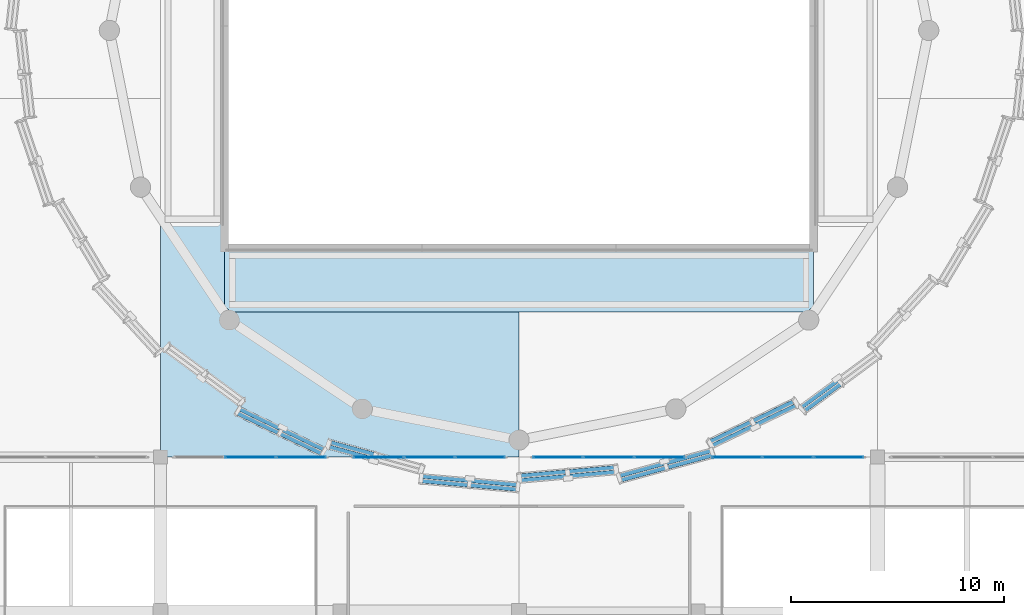
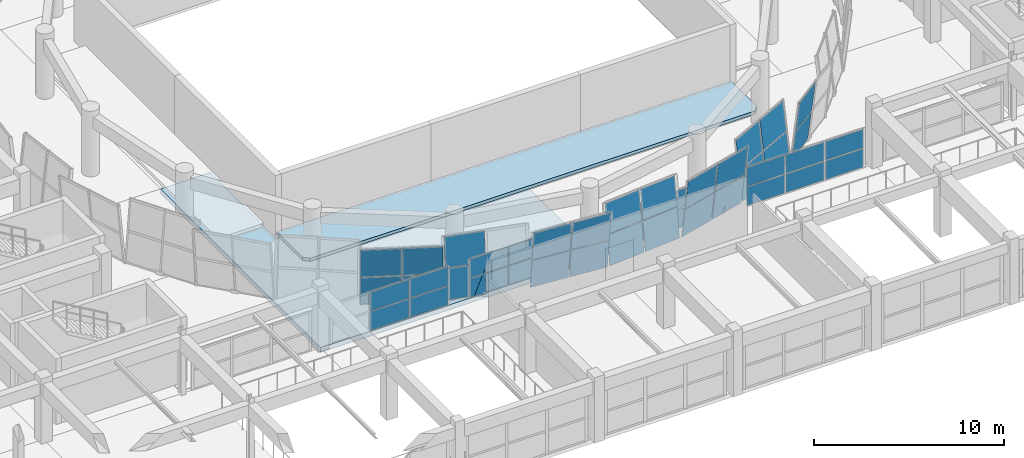
# One storey, part 42 of 71: 46 plates, 2 slabs, 11 elements without a shape of their own.
"""IFC4 building model written with IfcOpenShell, lengths in metres."""

import ifcopenshell
import ifcopenshell.guid

model = None  # the IFC model being written
_history = None  # IfcOwnerHistory: only IFC2X3 demands one
_inside = {}  # id of a spatial element -> (the spatial element, [elements in it])
_under = {}  # id of a project, library or spatial element -> (it, [spatial elements below it])
_declared = {}  # id of a project -> (the project, [libraries it declares])
_typed = {}  # id of a type object -> (the type object, [elements of that type])
_made_of = {}  # id of a material, layer set ... -> (it, [elements and type objects made of it])


def new_model(schema):
    """Start an empty IFC model of exactly this schema.

    Asked for "IFC4X3", IfcOpenShell would pick the latest addendum, in which some entities
    have other attributes; the version numbers below select the first issue.
    IFC2X3 requires an IfcOwnerHistory on every rooted entity: one is made here for all.
    """
    global model, _history
    if schema == "IFC4X3":
        model = ifcopenshell.file(schema_version=(4, 3, 0, 0))
    else:
        model = ifcopenshell.file(schema=schema)
    _inside.clear()
    _under.clear()
    _declared.clear()
    _typed.clear()
    _made_of.clear()
    _history = None
    if model.schema == "IFC2X3":
        org = make("IfcOrganization", Name="unknown")
        user = make(
            "IfcPersonAndOrganization",
            ThePerson=make("IfcPerson", FamilyName="unknown"),
            TheOrganization=org,
        )
        app = make(
            "IfcApplication",
            ApplicationDeveloper=org,
            Version="unknown",
            ApplicationFullName="unknown",
            ApplicationIdentifier="unknown",
        )
        _history = make(
            "IfcOwnerHistory",
            OwningUser=user,
            OwningApplication=app,
            ChangeAction="ADDED",
            CreationDate=0,
        )
    return model


def make(cls, **values):
    """One entity of the class cls with the attributes given. An attribute that is None is left unset."""
    return model.create_entity(
        cls, **{name: value for name, value in values.items() if value is not None}
    )


def rooted(cls, **values):
    """An entity with a GlobalId (a new one), such as an element, a storey or a relation."""
    return make(cls, GlobalId=ifcopenshell.guid.new(), OwnerHistory=_history, **values)


def si_unit(unit_type, name, prefix=None):
    """IfcSIUnit, for example si_unit("LENGTHUNIT", "METRE", prefix="MILLI")."""
    return make("IfcSIUnit", UnitType=unit_type, Prefix=prefix, Name=name)


def assignment(units):
    """IfcUnitAssignment: the units of a project."""
    return None if units is None else make("IfcUnitAssignment", Units=units)


def point(xyz):
    """IfcCartesianPoint."""
    return None if xyz is None else make("IfcCartesianPoint", Coordinates=xyz)


def direction(xyz):
    """IfcDirection."""
    return None if xyz is None else make("IfcDirection", DirectionRatios=xyz)


def frame(location, z_axis=None, x_axis=None):
    """IfcAxis2Placement3D, a coordinate frame: its origin and axes. An axis left out is left unset."""
    return make(
        "IfcAxis2Placement3D",
        Location=point(location),
        Axis=direction(z_axis),
        RefDirection=direction(x_axis),
    )


def frame_2d(location, x_axis=None):
    """IfcAxis2Placement2D, a coordinate frame in the plane: its origin and x axis."""
    return make(
        "IfcAxis2Placement2D", Location=point(location), RefDirection=direction(x_axis)
    )


def origin():
    """The frame at (0, 0, 0) with its axes left unset."""
    return frame((0.0, 0.0, 0.0))


def origin_2d():
    """The frame at (0, 0) in the plane with its x axis left unset."""
    return frame_2d((0.0, 0.0))


def place(relative_to, where):
    """IfcLocalPlacement: puts the frame where relative to a parent placement (None: the world)."""
    return make(
        "IfcLocalPlacement", PlacementRelTo=relative_to, RelativePlacement=where
    )


def context(
    kind, dimensions, precision=None, world=None, true_north=None, identifier=None
):
    """IfcGeometricRepresentationContext, for example the 3D "Model" context."""
    return make(
        "IfcGeometricRepresentationContext",
        ContextIdentifier=identifier,
        ContextType=kind,
        CoordinateSpaceDimension=dimensions,
        Precision=precision,
        WorldCoordinateSystem=world,
        TrueNorth=true_north,
    )


def subcontext(parent, identifier, kind, view, scale=None):
    """IfcGeometricRepresentationSubContext, for example "Body" below "Model"."""
    return make(
        "IfcGeometricRepresentationSubContext",
        ContextIdentifier=identifier,
        ContextType=kind,
        ParentContext=parent,
        TargetScale=scale,
        TargetView=view,
    )


def project(units=None, contexts=None):
    """IfcProject with its units and contexts."""
    return rooted(
        "IfcProject",
        Name="project",
        RepresentationContexts=contexts,
        UnitsInContext=assignment(units),
    )


def spatial(cls, under=None, at=None, **own):
    """A site, building, storey or space (cls), placed at a placement, below another one or the project."""
    s = rooted(cls, ObjectPlacement=at, **own)
    if under is not None:
        _under.setdefault(under.id(), (under, []))[1].append(s)
    return s


def polyline(points):
    """IfcPolyline through the points."""
    return make("IfcPolyline", Points=[point(p) for p in points])


def profile(cls, at=None, kind="AREA", **sizes):
    """A parametric profile (cls). Its sizes go by their IFC names, for example OverallWidth=200.0."""
    return make(cls, ProfileType=kind, Position=at, **sizes)


def rectangle(**sizes):
    """IfcRectangleProfileDef."""
    return profile("IfcRectangleProfileDef", **sizes)


def outline(outer, holes=None, kind="AREA"):
    """IfcArbitraryClosedProfileDef: a profile drawn as a closed curve; with holes, ...WithVoids."""
    if holes is None:
        return make("IfcArbitraryClosedProfileDef", ProfileType=kind, OuterCurve=outer)
    return make(
        "IfcArbitraryProfileDefWithVoids",
        ProfileType=kind,
        OuterCurve=outer,
        InnerCurves=holes,
    )


def extrude(swept, where, along, depth):
    """IfcExtrudedAreaSolid: the profile swept, set in the frame where, extruded along a direction by depth."""
    return make(
        "IfcExtrudedAreaSolid",
        SweptArea=swept,
        Position=where,
        ExtrudedDirection=direction(along),
        Depth=depth,
    )


def shape(context_of_items, identifier, shape_type, items):
    """IfcShapeRepresentation: the items that make up one representation, for example the "Body"."""
    return make(
        "IfcShapeRepresentation",
        ContextOfItems=context_of_items,
        RepresentationIdentifier=identifier,
        RepresentationType=shape_type,
        Items=items,
    )


def material(Name=None, Category=None):
    """IfcMaterial."""
    return make("IfcMaterial", Name=Name, Category=Category)


def layer(
    of_material, thickness, ventilated=None, Name=None, Category=None, Priority=None
):
    """IfcMaterialLayer: one layer of a wall or slab, of a material (None: an air gap)."""
    return make(
        "IfcMaterialLayer",
        Material=of_material,
        LayerThickness=thickness,
        IsVentilated=ventilated,
        Name=Name,
        Category=Category,
        Priority=Priority,
    )


def layer_set(layers, Name=None):
    """IfcMaterialLayerSet."""
    return make("IfcMaterialLayerSet", MaterialLayers=layers, LayerSetName=Name)


def made_of(thing, what):
    """Note that an element or type object is made of a material, layer set ...; save() writes the relation."""
    if what is not None:
        _made_of.setdefault(what.id(), (what, []))[1].append(thing)
    return thing


def type_object(cls, material=None, **own):
    """A type object (cls), such as IfcWallType, which elements share."""
    return made_of(rooted(cls, **own), material)


def element(
    cls,
    number,
    at=None,
    inside=None,
    cuts=None,
    type_object=None,
    material=None,
    context=None,
    identifier="Body",
    shape_type=None,
    held_by="IfcProductDefinitionShape",
    body=None,
    shapes=None,
    **own,
):
    """One element of the class cls, such as IfcWall. Its Tag is "e" and its number.

    at: its placement. inside: the storey or other place that contains it. cuts: it is an
    opening in that element (IfcRelVoidsElement). A single representation is given by context,
    identifier, shape_type and body (its items); several are given by shapes. held_by: the class
    of the entity that holds the representations. save() writes the other relations.
    """
    e = rooted(cls, Tag="e%d" % number, ObjectPlacement=at, **own)
    if body is not None:
        shapes = [shape(context, identifier, shape_type, body)]
    if shapes is not None:
        e.Representation = make(held_by, Representations=shapes)
    if inside is not None:
        _inside.setdefault(inside.id(), (inside, []))[1].append(e)
    if cuts is not None:
        rooted(
            "IfcRelVoidsElement", RelatingBuildingElement=cuts, RelatedOpeningElement=e
        )
    if type_object is not None:
        _typed.setdefault(type_object.id(), (type_object, []))[1].append(e)
    return made_of(e, material)


def aggregate(whole, parts):
    """IfcRelAggregates: a whole, such as a stair, and the parts it consists of."""
    return rooted("IfcRelAggregates", RelatingObject=whole, RelatedObjects=parts)


def save(model, path):
    """Write the relations noted so far, then the file.

    IfcRelAggregates (storeys below a building ...), IfcRelContainedInSpatialStructure (elements
    in a storey), IfcRelDefinesByType, IfcRelAssociatesMaterial and IfcRelDeclares: one each for
    every whole, place, type object, material and project.
    """
    for whole, parts in _under.values():
        aggregate(whole, parts)
    for where, things in _inside.values():
        rooted(
            "IfcRelContainedInSpatialStructure",
            RelatedElements=things,
            RelatingStructure=where,
        )
    for kind, things in _typed.values():
        rooted("IfcRelDefinesByType", RelatedObjects=things, RelatingType=kind)
    for what, things in _made_of.values():
        rooted("IfcRelAssociatesMaterial", RelatedObjects=things, RelatingMaterial=what)
    for by, libraries in _declared.values():
        rooted("IfcRelDeclares", RelatingContext=by, RelatedDefinitions=libraries)
    model.write(path)


model = new_model("IFC4")

# Units and contexts
model_context = context("Model", 3, precision=1e-05, world=origin(), true_north=direction((0.0, 1.0)))
body_context = subcontext(model_context, "Body", "Model", "MODEL_VIEW")
ifc_project = project(units=[si_unit("LENGTHUNIT", "METRE"), si_unit("AREAUNIT", "SQUARE_METRE"), si_unit("VOLUMEUNIT", "CUBIC_METRE"), si_unit("PLANEANGLEUNIT", "RADIAN"), si_unit("MASSUNIT", "GRAM", prefix="KILO")], contexts=[model_context])

# Site, building, storey
site_placement = place(None, origin())
site = spatial("IfcSite", under=ifc_project, at=site_placement, CompositionType="ELEMENT")
building_placement = place(site_placement, origin())
building = spatial("IfcBuilding", under=site, at=building_placement, Name="Korsvaeld Concert Hall", CompositionType="ELEMENT")
storey_placement = place(building_placement, frame((0.0, 0.0, 4.800048828125)))
storey = spatial("IfcBuildingStorey", under=building, at=storey_placement, Name="L01", CompositionType="ELEMENT", Elevation=4.800048828125)

# Curtain wall, plates
ifc_material_1 = material(Name="Anodised bronze and ceramic-fritted safety glass", Category="glass")
curtain_wall_type_1 = type_object("IfcCurtainWallType", Name="CW-TYPE-10", PredefinedType="USERDEFINED", material=ifc_material_1)
curtain_wall_1_placement = place(storey_placement, origin())
curtain_wall_1 = element("IfcCurtainWall", 1, at=curtain_wall_1_placement, inside=storey, type_object=curtain_wall_type_1, Name="Glazed foyer acoustic screen L01-26", ObjectType="CURTAIN WALL", PredefinedType="USERDEFINED")
ifc_material_2 = material(Name="Clear acoustic triple safety glazing", Category="glass")
ifc_layer_1 = layer(ifc_material_2, 0.0439453125)
ifc_layer_set_1 = layer_set([ifc_layer_1], Name="Clear acoustic triple safety glazing")
plate_type_1 = type_object("IfcPlateType", Name="CWP-CLEAR-44", PredefinedType="CURTAIN_PANEL", material=ifc_layer_set_1)
plate_1_placement = place(storey_placement, frame((71.39990234375, 43.199951171875, 0.059814453125), z_axis=(0.0, 0.0, 1.0), x_axis=(1.0, 0.0, 0.0)))
plate_1 = element("IfcPlate", 2, at=plate_1_placement, type_object=plate_type_1, Name="CW-10 panel 2.1", PredefinedType="CURTAIN_PANEL", context=body_context, shape_type="SweptSolid", body=[
    extrude(rectangle(XDim=2.340087890625, YDim=0.0439453125, at=origin_2d()), origin(), (0.0, 0.0, 1.0), 1.18505859375),
])
plate_2_placement = place(storey_placement, frame((71.39990234375, 43.199951171875, 1.304931640625), z_axis=(0.0, 0.0, 1.0), x_axis=(1.0, 0.0, 0.0)))
plate_2 = element("IfcPlate", 3, at=plate_2_placement, type_object=plate_type_1, Name="CW-10 panel 2.2", PredefinedType="CURTAIN_PANEL", context=body_context, shape_type="SweptSolid", body=[
    extrude(rectangle(XDim=2.340087890625, YDim=0.0439453125, at=origin_2d()), origin(), (0.0, 0.0, 1.0), 1.18505859375),
])
plate_3_placement = place(storey_placement, frame((73.784912109375, 43.199951171875, 0.059814453125), z_axis=(0.0, 0.0, 1.0), x_axis=(1.0, 0.0, 0.0)))
plate_3 = element("IfcPlate", 4, at=plate_3_placement, type_object=plate_type_1, Name="CW-10 panel 3.1", PredefinedType="CURTAIN_PANEL", context=body_context, shape_type="SweptSolid", body=[
    extrude(rectangle(XDim=2.31005859375, YDim=0.0439453125, at=origin_2d()), origin(), (0.0, 0.0, 1.0), 1.18505859375),
])
plate_4_placement = place(storey_placement, frame((73.784912109375, 43.199951171875, 1.304931640625), z_axis=(0.0, 0.0, 1.0), x_axis=(1.0, 0.0, 0.0)))
plate_4 = element("IfcPlate", 5, at=plate_4_placement, type_object=plate_type_1, Name="CW-10 panel 3.2", PredefinedType="CURTAIN_PANEL", context=body_context, shape_type="SweptSolid", body=[
    extrude(rectangle(XDim=2.31005859375, YDim=0.0439453125, at=origin_2d()), origin(), (0.0, 0.0, 1.0), 1.18505859375),
])
aggregate(curtain_wall_1, [plate_1, plate_2, plate_3, plate_4])

curtain_wall_type_2 = type_object("IfcCurtainWallType", Name="CW-TYPE-11", PredefinedType="USERDEFINED", material=ifc_material_1)
curtain_wall_2_placement = place(storey_placement, origin())
curtain_wall_2 = element("IfcCurtainWall", 6, at=curtain_wall_2_placement, inside=storey, type_object=curtain_wall_type_2, Name="Glazed foyer acoustic screen L01-27", ObjectType="CURTAIN WALL", PredefinedType="USERDEFINED")
plate_5_placement = place(storey_placement, frame((77.4150390625, 43.199951171875, 0.059814453125), z_axis=(0.0, 0.0, 1.0), x_axis=(1.0, 0.0, 0.0)))
plate_5 = element("IfcPlate", 7, at=plate_5_placement, type_object=plate_type_1, Name="CW-11 panel 1.1", PredefinedType="CURTAIN_PANEL", context=body_context, shape_type="SweptSolid", body=[
    extrude(rectangle(XDim=2.31005859375, YDim=0.0439453125, at=origin_2d()), origin(), (0.0, 0.0, 1.0), 1.18505859375),
])
plate_6_placement = place(storey_placement, frame((77.4150390625, 43.199951171875, 1.304931640625), z_axis=(0.0, 0.0, 1.0), x_axis=(1.0, 0.0, 0.0)))
plate_6 = element("IfcPlate", 8, at=plate_6_placement, type_object=plate_type_1, Name="CW-11 panel 1.2", PredefinedType="CURTAIN_PANEL", context=body_context, shape_type="SweptSolid", body=[
    extrude(rectangle(XDim=2.31005859375, YDim=0.0439453125, at=origin_2d()), origin(), (0.0, 0.0, 1.0), 1.18505859375),
])
plate_7_placement = place(storey_placement, frame((79.800048828125, 43.199951171875, 0.059814453125), z_axis=(0.0, 0.0, 1.0), x_axis=(1.0, 0.0, 0.0)))
plate_7 = element("IfcPlate", 9, at=plate_7_placement, type_object=plate_type_1, Name="CW-11 panel 2.1", PredefinedType="CURTAIN_PANEL", context=body_context, shape_type="SweptSolid", body=[
    extrude(rectangle(XDim=2.340087890625, YDim=0.0439453125, at=origin_2d()), origin(), (0.0, 0.0, 1.0), 1.18505859375),
])
plate_8_placement = place(storey_placement, frame((79.800048828125, 43.199951171875, 1.304931640625), z_axis=(0.0, 0.0, 1.0), x_axis=(1.0, 0.0, 0.0)))
plate_8 = element("IfcPlate", 10, at=plate_8_placement, type_object=plate_type_1, Name="CW-11 panel 2.2", PredefinedType="CURTAIN_PANEL", context=body_context, shape_type="SweptSolid", body=[
    extrude(rectangle(XDim=2.340087890625, YDim=0.0439453125, at=origin_2d()), origin(), (0.0, 0.0, 1.0), 1.18505859375),
])
plate_9_placement = place(storey_placement, frame((82.18505859375, 43.199951171875, 0.059814453125), z_axis=(0.0, 0.0, 1.0), x_axis=(1.0, 0.0, 0.0)))
plate_9 = element("IfcPlate", 11, at=plate_9_placement, type_object=plate_type_1, Name="CW-11 panel 3.1", PredefinedType="CURTAIN_PANEL", context=body_context, shape_type="SweptSolid", body=[
    extrude(rectangle(XDim=2.31005859375, YDim=0.0439453125, at=origin_2d()), origin(), (0.0, 0.0, 1.0), 1.18505859375),
])
plate_10_placement = place(storey_placement, frame((82.18505859375, 43.199951171875, 1.304931640625), z_axis=(0.0, 0.0, 1.0), x_axis=(1.0, 0.0, 0.0)))
plate_10 = element("IfcPlate", 12, at=plate_10_placement, type_object=plate_type_1, Name="CW-11 panel 3.2", PredefinedType="CURTAIN_PANEL", context=body_context, shape_type="SweptSolid", body=[
    extrude(rectangle(XDim=2.31005859375, YDim=0.0439453125, at=origin_2d()), origin(), (0.0, 0.0, 1.0), 1.18505859375),
])
aggregate(curtain_wall_2, [plate_5, plate_6, plate_7, plate_8, plate_9, plate_10])

curtain_wall_type_3 = type_object("IfcCurtainWallType", Name="CW-TYPE-12", PredefinedType="USERDEFINED", material=ifc_material_1)
curtain_wall_3_placement = place(storey_placement, origin())
curtain_wall_3 = element("IfcCurtainWall", 13, at=curtain_wall_3_placement, inside=storey, type_object=curtain_wall_type_3, Name="Glazed foyer acoustic screen L01-28", ObjectType="CURTAIN WALL", PredefinedType="USERDEFINED")
plate_11_placement = place(storey_placement, frame((85.81494140625, 43.199951171875, 0.059814453125), z_axis=(0.0, 0.0, 1.0), x_axis=(1.0, 0.0, 0.0)))
plate_11 = element("IfcPlate", 14, at=plate_11_placement, type_object=plate_type_1, Name="CW-12 panel 1.1", PredefinedType="CURTAIN_PANEL", context=body_context, shape_type="SweptSolid", body=[
    extrude(rectangle(XDim=2.31005859375, YDim=0.0439453125, at=origin_2d()), origin(), (0.0, 0.0, 1.0), 1.18505859375),
])
plate_12_placement = place(storey_placement, frame((85.81494140625, 43.199951171875, 1.304931640625), z_axis=(0.0, 0.0, 1.0), x_axis=(1.0, 0.0, 0.0)))
plate_12 = element("IfcPlate", 15, at=plate_12_placement, type_object=plate_type_1, Name="CW-12 panel 1.2", PredefinedType="CURTAIN_PANEL", context=body_context, shape_type="SweptSolid", body=[
    extrude(rectangle(XDim=2.31005859375, YDim=0.0439453125, at=origin_2d()), origin(), (0.0, 0.0, 1.0), 1.18505859375),
])
plate_13_placement = place(storey_placement, frame((88.199951171875, 43.199951171875, 0.059814453125), z_axis=(0.0, 0.0, 1.0), x_axis=(1.0, 0.0, 0.0)))
plate_13 = element("IfcPlate", 16, at=plate_13_placement, type_object=plate_type_1, Name="CW-12 panel 2.1", PredefinedType="CURTAIN_PANEL", context=body_context, shape_type="SweptSolid", body=[
    extrude(rectangle(XDim=2.340087890625, YDim=0.0439453125, at=origin_2d()), origin(), (0.0, 0.0, 1.0), 1.18505859375),
])
plate_14_placement = place(storey_placement, frame((88.199951171875, 43.199951171875, 1.304931640625), z_axis=(0.0, 0.0, 1.0), x_axis=(1.0, 0.0, 0.0)))
plate_14 = element("IfcPlate", 17, at=plate_14_placement, type_object=plate_type_1, Name="CW-12 panel 2.2", PredefinedType="CURTAIN_PANEL", context=body_context, shape_type="SweptSolid", body=[
    extrude(rectangle(XDim=2.340087890625, YDim=0.0439453125, at=origin_2d()), origin(), (0.0, 0.0, 1.0), 1.18505859375),
])
plate_15_placement = place(storey_placement, frame((90.5849609375, 43.199951171875, 0.059814453125), z_axis=(0.0, 0.0, 1.0), x_axis=(1.0, 0.0, 0.0)))
plate_15 = element("IfcPlate", 18, at=plate_15_placement, type_object=plate_type_1, Name="CW-12 panel 3.1", PredefinedType="CURTAIN_PANEL", context=body_context, shape_type="SweptSolid", body=[
    extrude(rectangle(XDim=2.31005859375, YDim=0.0439453125, at=origin_2d()), origin(), (0.0, 0.0, 1.0), 1.18505859375),
])
plate_16_placement = place(storey_placement, frame((90.5849609375, 43.199951171875, 1.304931640625), z_axis=(0.0, 0.0, 1.0), x_axis=(1.0, 0.0, 0.0)))
plate_16 = element("IfcPlate", 19, at=plate_16_placement, type_object=plate_type_1, Name="CW-12 panel 3.2", PredefinedType="CURTAIN_PANEL", context=body_context, shape_type="SweptSolid", body=[
    extrude(rectangle(XDim=2.31005859375, YDim=0.0439453125, at=origin_2d()), origin(), (0.0, 0.0, 1.0), 1.18505859375),
])
aggregate(curtain_wall_3, [plate_11, plate_12, plate_13, plate_14, plate_15, plate_16])

curtain_wall_type_4 = type_object("IfcCurtainWallType", Name="CW-TYPE-13", PredefinedType="USERDEFINED", material=ifc_material_1)
curtain_wall_4_placement = place(storey_placement, origin())
curtain_wall_4 = element("IfcCurtainWall", 20, at=curtain_wall_4_placement, inside=storey, type_object=curtain_wall_type_4, Name="Glazed foyer acoustic screen L01-29", ObjectType="CURTAIN WALL", PredefinedType="USERDEFINED")
plate_17_placement = place(storey_placement, frame((94.215087890625, 43.199951171875, 0.059814453125), z_axis=(0.0, 0.0, 1.0), x_axis=(1.0, 0.0, 0.0)))
plate_17 = element("IfcPlate", 21, at=plate_17_placement, type_object=plate_type_1, Name="CW-13 panel 1.1", PredefinedType="CURTAIN_PANEL", context=body_context, shape_type="SweptSolid", body=[
    extrude(rectangle(XDim=2.31005859375, YDim=0.0439453125, at=origin_2d()), origin(), (0.0, 0.0, 1.0), 1.18505859375),
])
plate_18_placement = place(storey_placement, frame((94.215087890625, 43.199951171875, 1.304931640625), z_axis=(0.0, 0.0, 1.0), x_axis=(1.0, 0.0, 0.0)))
plate_18 = element("IfcPlate", 22, at=plate_18_placement, type_object=plate_type_1, Name="CW-13 panel 1.2", PredefinedType="CURTAIN_PANEL", context=body_context, shape_type="SweptSolid", body=[
    extrude(rectangle(XDim=2.31005859375, YDim=0.0439453125, at=origin_2d()), origin(), (0.0, 0.0, 1.0), 1.18505859375),
])
plate_19_placement = place(storey_placement, frame((96.60009765625, 43.199951171875, 0.059814453125), z_axis=(0.0, 0.0, 1.0), x_axis=(1.0, 0.0, 0.0)))
plate_19 = element("IfcPlate", 23, at=plate_19_placement, type_object=plate_type_1, Name="CW-13 panel 2.1", PredefinedType="CURTAIN_PANEL", context=body_context, shape_type="SweptSolid", body=[
    extrude(rectangle(XDim=2.340087890625, YDim=0.0439453125, at=origin_2d()), origin(), (0.0, 0.0, 1.0), 1.18505859375),
])
plate_20_placement = place(storey_placement, frame((96.60009765625, 43.199951171875, 1.304931640625), z_axis=(0.0, 0.0, 1.0), x_axis=(1.0, 0.0, 0.0)))
plate_20 = element("IfcPlate", 24, at=plate_20_placement, type_object=plate_type_1, Name="CW-13 panel 2.2", PredefinedType="CURTAIN_PANEL", context=body_context, shape_type="SweptSolid", body=[
    extrude(rectangle(XDim=2.340087890625, YDim=0.0439453125, at=origin_2d()), origin(), (0.0, 0.0, 1.0), 1.18505859375),
])
plate_21_placement = place(storey_placement, frame((98.985107421875, 43.199951171875, 0.059814453125), z_axis=(0.0, 0.0, 1.0), x_axis=(1.0, 0.0, 0.0)))
plate_21 = element("IfcPlate", 25, at=plate_21_placement, type_object=plate_type_1, Name="CW-13 panel 3.1", PredefinedType="CURTAIN_PANEL", context=body_context, shape_type="SweptSolid", body=[
    extrude(rectangle(XDim=2.31005859375, YDim=0.0439453125, at=origin_2d()), origin(), (0.0, 0.0, 1.0), 1.18505859375),
])
plate_22_placement = place(storey_placement, frame((98.985107421875, 43.199951171875, 1.304931640625), z_axis=(0.0, 0.0, 1.0), x_axis=(1.0, 0.0, 0.0)))
plate_22 = element("IfcPlate", 26, at=plate_22_placement, type_object=plate_type_1, Name="CW-13 panel 3.2", PredefinedType="CURTAIN_PANEL", context=body_context, shape_type="SweptSolid", body=[
    extrude(rectangle(XDim=2.31005859375, YDim=0.0439453125, at=origin_2d()), origin(), (0.0, 0.0, 1.0), 1.18505859375),
])
aggregate(curtain_wall_4, [plate_17, plate_18, plate_19, plate_20, plate_21, plate_22])

curtain_wall_type_5 = type_object("IfcCurtainWallType", Name="CW-TYPE-06", PredefinedType="USERDEFINED", material=ifc_material_1)
curtain_wall_5_placement = place(storey_placement, origin())
curtain_wall_5 = element("IfcCurtainWall", 27, at=curtain_wall_5_placement, inside=storey, type_object=curtain_wall_type_5, Name="Crystal curtain-wall facet L01 F22", ObjectType="CURTAIN WALL", PredefinedType="USERDEFINED")
ifc_material_3 = material(Name="Translucent ceramic-fritted crystal safety glass", Category="glass")
ifc_layer_2 = layer(ifc_material_3, 0.035888671875)
ifc_layer_set_2 = layer_set([ifc_layer_2], Name="Translucent ceramic-fritted crystal safety glass")
plate_type_2 = type_object("IfcPlateType", Name="CWP-CRYSTAL-36", PredefinedType="CURTAIN_PANEL", material=ifc_layer_set_2)
plate_23_placement = place(storey_placement, frame((70.95263671875, 45.534423828125, 0.06005859375), z_axis=(-0.429998436231, -0.895754874635, -0.112803144489), x_axis=(0.901508884705, -0.432760592935, 0.0)))
plate_23 = element("IfcPlate", 28, at=plate_23_placement, type_object=plate_type_2, Name="CW-CRYS-L01-F22 ceramic-fritted crystal panel 1.1", PredefinedType="CURTAIN_PANEL", context=body_context, shape_type="SweptSolid", body=[
    extrude(outline(polyline([(0.0, 0.0), (2.1505286703400395, 0.0), (2.131642301423537, 1.8617363153269957), (-0.01888636891650229, 1.8617363153269957), (0.0, 0.0)])), frame((0.0, 0.0, 0.01806640625)), (0.0, 0.0, -1.0), 0.035888671875),
])
plate_24_placement = place(storey_placement, frame((70.84130859375, 45.347412109375, 1.969970703125), z_axis=(-0.430022527134, -0.89574865601, -0.112760682039), x_axis=(0.901498388408, -0.432782457697, -2.752414e-06)))
plate_24 = element("IfcPlate", 29, at=plate_24_placement, type_object=plate_type_2, Name="CW-CRYS-L01-F22 ceramic-fritted crystal panel 1.2", PredefinedType="CURTAIN_PANEL", context=body_context, shape_type="SweptSolid", body=[
    extrude(outline(polyline([(0.0, 0.0), (2.15052866969938, 0.0), (2.1316423020585704, 1.8619788971660192), (-0.0186662752608272, 1.8619669834991164), (0.0, 0.0)])), frame((0.0, 0.0, 0.01806640625)), (0.0, 0.0, -1.0), 0.035888671875),
])
plate_25_placement = place(storey_placement, frame((72.958984375, 44.5712890625, 0.06005859375), z_axis=(-0.430090054787, -0.895710759262, -0.112804168878), x_axis=(0.901464591462, -0.432852850679, 0.0)))
plate_25 = element("IfcPlate", 30, at=plate_25_placement, type_object=plate_type_2, Name="CW-CRYS-L01-F22 ceramic-fritted crystal panel 2.1", PredefinedType="CURTAIN_PANEL", context=body_context, shape_type="SweptSolid", body=[
    extrude(outline(polyline([(0.0, 0.0), (2.150634336043882, 0.0), (2.1317694595248153, 1.8617365332323772), (-0.018864876519067143, 1.8617365332323772), (0.0, 0.0)])), frame((0.0, 0.0, 0.01806640625)), (0.0, 0.0, -1.0), 0.035888671875),
])
plate_26_placement = place(storey_placement, frame((72.84765625, 44.38427734375, 1.969970703125), z_axis=(-0.430090776937, -0.89571226322, -0.112789472515), x_axis=(0.901464591462, -0.432852850679, 0.0)))
plate_26 = element("IfcPlate", 31, at=plate_26_placement, type_object=plate_type_2, Name="CW-CRYS-L01-F22 ceramic-fritted crystal panel 2.2", PredefinedType="CURTAIN_PANEL", context=body_context, shape_type="SweptSolid", body=[
    extrude(outline(polyline([(0.0, 0.0), (2.150634336043882, 0.0), (2.1317694595248153, 1.8619791157700134), (-0.01886487651906714, 1.8619791157700134), (0.0, 0.0)])), frame((0.0, 0.0, 0.01806640625)), (0.0, 0.0, -1.0), 0.035888671875),
])
aggregate(curtain_wall_5, [plate_23, plate_24, plate_25, plate_26])

curtain_wall_type_6 = type_object("IfcCurtainWallType", Name="CW-TYPE-07", PredefinedType="USERDEFINED", material=ifc_material_1)
curtain_wall_6_placement = place(storey_placement, origin())
curtain_wall_6 = element("IfcCurtainWall", 32, at=curtain_wall_6_placement, inside=storey, type_object=curtain_wall_type_6, Name="Crystal curtain-wall facet L01 F23", ObjectType="CURTAIN WALL", PredefinedType="USERDEFINED")
plate_27_placement = place(storey_placement, frame((75.043212890625, 43.6005859375, 0.06005859375), z_axis=(-0.261266730568, -0.958626546521, 0.113025836882), x_axis=(0.964808945689, -0.262951893539, -1.652203e-06)))
plate_27 = element("IfcPlate", 33, at=plate_27_placement, type_object=plate_type_2, Name="CW-CRYS-L01-F23 ceramic-fritted crystal panel 1.1", PredefinedType="CURTAIN_PANEL", context=body_context, shape_type="SweptSolid", body=[
    extrude(outline(polyline([(0.0, 0.0), (2.1817674998894603, -1.3877787807814457e-17), (2.1944981908801497, 1.861787383371037), (0.012495141931683083, 1.8617801270376209), (0.0, 0.0)])), frame((0.0, 0.0, 0.01806640625)), (0.0, 0.0, -1.0), 0.035888671875),
])
plate_28_placement = place(storey_placement, frame((75.11279296875, 43.806640625, 1.969970703125), z_axis=(-0.261163697715, -0.958656442547, 0.113010389604), x_axis=(0.964837427078, -0.262847368842, 1.651196e-06)))
plate_28 = element("IfcPlate", 34, at=plate_28_placement, type_object=plate_type_2, Name="CW-CRYS-L01-F23 ceramic-fritted crystal panel 1.2", PredefinedType="CURTAIN_PANEL", context=body_context, shape_type="SweptSolid", body=[
    extrude(outline(polyline([(0.0, 0.0), (2.1819388679447598, 0.0), (2.194462914557344, 1.8620225097062955), (0.012759602625054647, 1.8620297613910195), (0.0, 0.0)])), frame((0.0, 0.0, 0.01806640625)), (0.0, 0.0, -1.0), 0.035888671875),
])
aggregate(curtain_wall_6, [plate_27, plate_28])

curtain_wall_type_7 = type_object("IfcCurtainWallType", Name="CW-TYPE-08", PredefinedType="USERDEFINED", material=ifc_material_1)
curtain_wall_7_placement = place(storey_placement, origin())
curtain_wall_7 = element("IfcCurtainWall", 35, at=curtain_wall_7_placement, inside=storey, type_object=curtain_wall_type_7, Name="Crystal curtain-wall facet L01 F24", ObjectType="CURTAIN WALL", PredefinedType="USERDEFINED")
plate_29_placement = place(storey_placement, frame((79.469970703125, 42.39404296875, 0.06005859375), z_axis=(-0.087601283143, -0.989706940099, -0.113164428648), x_axis=(0.996105644418, -0.088167710411, 5.50431e-07)))
plate_29 = element("IfcPlate", 36, at=plate_29_placement, type_object=plate_type_2, Name="CW-CRYS-L01-F24 ceramic-fritted crystal panel 1.1", PredefinedType="CURTAIN_PANEL", context=body_context, shape_type="SweptSolid", body=[
    extrude(outline(polyline([(0.0, 0.0), (2.1985040997295173, 0.0), (2.1941139961104135, 1.8618120787296712), (-0.0046332934736984166, 1.8618145147632015), (0.0, 0.0)])), frame((0.0, 0.0, 0.01806640625)), (0.0, 0.0, -1.0), 0.035888671875),
])
plate_30_placement = place(storey_placement, frame((79.446044921875, 42.177734375, 1.969970703125), z_axis=(-0.087596644047, -0.989709689854, -0.113143969179), x_axis=(0.996106081505, -0.088162772123, 0.0)))
plate_30 = element("IfcPlate", 37, at=plate_30_placement, type_object=plate_type_2, Name="CW-CRYS-L01-F24 ceramic-fritted crystal panel 1.2", PredefinedType="CURTAIN_PANEL", context=body_context, shape_type="SweptSolid", body=[
    extrude(outline(polyline([(0.0, 0.0), (2.198747289611464, 0.0), (2.1943551233077576, 1.8620546465919228), (-0.004392166303706893, 1.8620546465919228), (0.0, 0.0)])), frame((0.0, 0.0, 0.01806640625)), (0.0, 0.0, -1.0), 0.035888671875),
])
plate_31_placement = place(storey_placement, frame((81.734619140625, 42.193603515625, 0.06005859375), z_axis=(-0.087606185391, -0.989707157371, -0.113158733331), x_axis=(0.996105218313, -0.088172524341, 0.0)))
plate_31 = element("IfcPlate", 38, at=plate_31_placement, type_object=plate_type_2, Name="CW-CRYS-L01-F24 ceramic-fritted crystal panel 2.1", PredefinedType="CURTAIN_PANEL", context=body_context, shape_type="SweptSolid", body=[
    extrude(outline(polyline([(0.0, 0.0), (2.198504099755524, -3.469446951953614e-18), (2.1941139960844582, 1.8618120787602588), (-0.0043901036710655775, 1.8618120787602588), (0.0, 0.0)])), frame((0.0, 0.0, 0.01806640625)), (0.0, 0.0, -1.0), 0.035888671875),
])
plate_32_placement = place(storey_placement, frame((81.7109375, 41.977294921875, 1.969970703125), z_axis=(-0.087606333413, -0.989708829619, -0.113143991971), x_axis=(0.996105218313, -0.088172524341, 0.0)))
plate_32 = element("IfcPlate", 39, at=plate_32_placement, type_object=plate_type_2, Name="CW-CRYS-L01-F24 ceramic-fritted crystal panel 2.2", PredefinedType="CURTAIN_PANEL", context=body_context, shape_type="SweptSolid", body=[
    extrude(outline(polyline([(0.0, 0.0), (2.198504099755524, -6.938893903907228e-18), (2.1941139960844582, 1.8620546514560647), (-0.004390103671065578, 1.8620546514560647), (0.0, 0.0)])), frame((0.0, 0.0, 0.01806640625)), (0.0, 0.0, -1.0), 0.035888671875),
])
aggregate(curtain_wall_7, [plate_29, plate_30, plate_31, plate_32])

curtain_wall_type_8 = type_object("IfcCurtainWallType", Name="CW-TYPE-01", PredefinedType="USERDEFINED", material=ifc_material_1)
curtain_wall_8_placement = place(storey_placement, origin())
curtain_wall_8 = element("IfcCurtainWall", 40, at=curtain_wall_8_placement, inside=storey, type_object=curtain_wall_type_8, Name="Crystal curtain-wall facet L01 F25", ObjectType="CURTAIN WALL", PredefinedType="USERDEFINED")
plate_33_placement = place(storey_placement, frame((84.073974609375, 42.013427734375, 0.06005859375), z_axis=(0.087606185391, -0.989707157371, 0.113158733331), x_axis=(0.996105218313, 0.088172524341, 0.0)))
plate_33 = element("IfcPlate", 41, at=plate_33_placement, type_object=plate_type_2, Name="CW-CRYS-L01-F25 ceramic-fritted crystal panel 1.1", PredefinedType="CURTAIN_PANEL", context=body_context, shape_type="SweptSolid", body=[
    extrude(outline(polyline([(0.0, 0.0), (2.198504099755524, -3.469446951953614e-18), (2.1941139960844582, 1.8618120787602588), (-0.0043901036710655775, 1.8618120787602588), (0.0, 0.0)])), frame((0.0, 0.0, 0.01806640625)), (0.0, 0.0, -1.0), 0.035888671875),
])
plate_34_placement = place(storey_placement, frame((84.05029296875, 42.229736328125, 1.969970703125), z_axis=(0.087606333413, -0.989708829619, 0.113143991971), x_axis=(0.996105218313, 0.088172524341, 0.0)))
plate_34 = element("IfcPlate", 42, at=plate_34_placement, type_object=plate_type_2, Name="CW-CRYS-L01-F25 ceramic-fritted crystal panel 1.2", PredefinedType="CURTAIN_PANEL", context=body_context, shape_type="SweptSolid", body=[
    extrude(outline(polyline([(0.0, 0.0), (2.198504099755524, -6.938893903907228e-18), (2.1941139960844582, 1.8620546514560647), (-0.004390103671065578, 1.8620546514560647), (0.0, 0.0)])), frame((0.0, 0.0, 0.01806640625)), (0.0, 0.0, -1.0), 0.035888671875),
])
plate_35_placement = place(storey_placement, frame((86.338623046875, 42.2138671875, 0.06005859375), z_axis=(0.087550800333, -0.989704699412, 0.113223077693), x_axis=(0.996110155918, 0.088116725071, -6.221966e-06)))
plate_35 = element("IfcPlate", 43, at=plate_35_placement, type_object=plate_type_2, Name="CW-CRYS-L01-F25 ceramic-fritted crystal panel 2.1", PredefinedType="CURTAIN_PANEL", context=body_context, shape_type="SweptSolid", body=[
    extrude(outline(polyline([(0.0, 0.0), (2.198482583391251, 0.0), (2.1940906811318808, 1.8618395546881972), (-0.00441341513170256, 1.8618120197266952), (0.0, 0.0)])), frame((0.0, 0.0, 0.01806640625)), (0.0, 0.0, -1.0), 0.035888671875),
])
plate_36_placement = place(storey_placement, frame((86.31494140625, 42.43017578125, 1.969970703125), z_axis=(0.087606333413, -0.989708829619, 0.113143991971), x_axis=(0.996105218313, 0.088172524341, 0.0)))
plate_36 = element("IfcPlate", 44, at=plate_36_placement, type_object=plate_type_2, Name="CW-CRYS-L01-F25 ceramic-fritted crystal panel 2.2", PredefinedType="CURTAIN_PANEL", context=body_context, shape_type="SweptSolid", body=[
    extrude(outline(polyline([(0.0, 0.0), (2.198504099755524, -6.938893903907228e-18), (2.1941139960844582, 1.8620546514560647), (-0.004390103671065578, 1.8620546514560647), (0.0, 0.0)])), frame((0.0, 0.0, 0.01806640625)), (0.0, 0.0, -1.0), 0.035888671875),
])
aggregate(curtain_wall_8, [plate_33, plate_34, plate_35, plate_36])

curtain_wall_type_9 = type_object("IfcCurtainWallType", Name="CW-TYPE-02", PredefinedType="USERDEFINED", material=ifc_material_1)
curtain_wall_9_placement = place(storey_placement, origin())
curtain_wall_9 = element("IfcCurtainWall", 45, at=curtain_wall_9_placement, inside=storey, type_object=curtain_wall_type_9, Name="Crystal curtain-wall facet L01 F26", ObjectType="CURTAIN WALL", PredefinedType="USERDEFINED")
plate_37_placement = place(storey_placement, frame((88.6787109375, 42.420654296875, 0.06005859375), z_axis=(0.261231469252, -0.958645553476, -0.112946103402), x_axis=(0.964819501422, 0.26291315988, 6.058201e-06)))
plate_37 = element("IfcPlate", 46, at=plate_37_placement, type_object=plate_type_2, Name="CW-CRYS-L01-F26 ceramic-fritted crystal panel 1.1", PredefinedType="CURTAIN_PANEL", context=body_context, shape_type="SweptSolid", body=[
    extrude(outline(polyline([(0.0, 0.0), (2.1817033090388525, 6.938893903907228e-18), (2.1942853485309652, 1.8617533660544558), (0.012517851708938946, 1.8617799710802774), (0.0, 0.0)])), frame((0.0, 0.0, 0.01806640625)), (0.0, 0.0, -1.0), 0.035888671875),
])
plate_38_placement = place(storey_placement, frame((88.748291015625, 42.21435546875, 1.969970703125), z_axis=(0.26128178054, -0.958626175241, -0.112994191446), x_axis=(0.964805126409, 0.262965906641, 0.0)))
plate_38 = element("IfcPlate", 47, at=plate_38_placement, type_object=plate_type_2, Name="CW-CRYS-L01-F26 ceramic-fritted crystal panel 1.2", PredefinedType="CURTAIN_PANEL", context=body_context, shape_type="SweptSolid", body=[
    extrude(outline(polyline([(0.0, 0.0), (2.1817675001225645, -1.3877787807814457e-17), (2.1942626425191207, 1.862022704165911), (0.01249514239655624, 1.862022704165911), (0.0, 0.0)])), frame((0.0, 0.0, 0.01806640625)), (0.0, 0.0, -1.0), 0.035888671875),
])
plate_39_placement = place(storey_placement, frame((90.85595703125, 43.013916015625, 0.06005859375), z_axis=(0.261266730568, -0.958626546521, -0.113025836882), x_axis=(0.964809044525, 0.262951530895, 1.652025e-06)))
plate_39 = element("IfcPlate", 48, at=plate_39_placement, type_object=plate_type_2, Name="CW-CRYS-L01-F26 ceramic-fritted crystal panel 2.1", PredefinedType="CURTAIN_PANEL", context=body_context, shape_type="SweptSolid", body=[
    extrude(outline(polyline([(0.0, 0.0), (2.1820030489605324, 0.0), (2.194504382312161, 1.8617800854742605), (0.012736882434764674, 1.8617873410243495), (0.0, 0.0)])), frame((0.0, 0.0, 0.01806640625)), (0.0, 0.0, -1.0), 0.035888671875),
])
plate_40_placement = place(storey_placement, frame((90.92578125, 42.807861328125, 1.969970703125), z_axis=(0.261178302111, -0.958654457556, -0.112993475543), x_axis=(0.964833511963, 0.262861739689, 0.0)))
plate_40 = element("IfcPlate", 49, at=plate_40_placement, type_object=plate_type_2, Name="CW-CRYS-L01-F26 ceramic-fritted crystal panel 2.2", PredefinedType="CURTAIN_PANEL", context=body_context, shape_type="SweptSolid", body=[
    extrude(outline(polyline([(0.0, 0.0), (2.181703312177269, 1.3877787807814457e-17), (2.1942211701450334, 1.8620225515940299), (0.012517857967764409, 1.8620225515940299), (0.0, 0.0)])), frame((0.0, 0.0, 0.01806640625)), (0.0, 0.0, -1.0), 0.035888671875),
])
aggregate(curtain_wall_9, [plate_37, plate_38, plate_39, plate_40])

curtain_wall_type_10 = type_object("IfcCurtainWallType", Name="CW-TYPE-03", PredefinedType="USERDEFINED", material=ifc_material_1)
curtain_wall_10_placement = place(storey_placement, origin())
curtain_wall_10 = element("IfcCurtainWall", 50, at=curtain_wall_10_placement, inside=storey, type_object=curtain_wall_type_10, Name="Crystal curtain-wall facet L01 F27", ObjectType="CURTAIN WALL", PredefinedType="USERDEFINED")
plate_41_placement = place(storey_placement, frame((93.095458984375, 43.652099609375, 0.06005859375), z_axis=(0.430090054787, -0.895710759262, 0.112804168878), x_axis=(0.901464591462, 0.432852850679, 0.0)))
plate_41 = element("IfcPlate", 51, at=plate_41_placement, type_object=plate_type_2, Name="CW-CRYS-L01-F27 ceramic-fritted crystal panel 1.1", PredefinedType="CURTAIN_PANEL", context=body_context, shape_type="SweptSolid", body=[
    extrude(outline(polyline([(0.0, 0.0), (2.150634336043882, 0.0), (2.1317694595248153, 1.8617365332323772), (-0.018864876519067143, 1.8617365332323772), (0.0, 0.0)])), frame((0.0, 0.0, 0.01806640625)), (0.0, 0.0, -1.0), 0.035888671875),
])
plate_42_placement = place(storey_placement, frame((92.984130859375, 43.839111328125, 1.969970703125), z_axis=(0.430114148991, -0.895704537127, 0.112761700096), x_axis=(0.901454091207, 0.432874717948, -2.75289e-06)))
plate_42 = element("IfcPlate", 52, at=plate_42_placement, type_object=plate_type_2, Name="CW-CRYS-L01-F27 ceramic-fritted crystal panel 1.2", PredefinedType="CURTAIN_PANEL", context=body_context, shape_type="SweptSolid", body=[
    extrude(outline(polyline([(0.0, 0.0), (2.150634335402981, 1.3877787807814457e-17), (2.1317694601600947, 1.8619791150426859), (-0.018644793677650772, 1.8619671987283917), (0.0, 0.0)])), frame((0.0, 0.0, 0.01806640625)), (0.0, 0.0, -1.0), 0.035888671875),
])
plate_43_placement = place(storey_placement, frame((95.101806640625, 44.615478515625, 0.06005859375), z_axis=(0.430021805467, -0.895747152758, 0.112775374747), x_axis=(0.901498117994, 0.432783020976, 2.75305e-06)))
plate_43 = element("IfcPlate", 53, at=plate_43_placement, type_object=plate_type_2, Name="CW-CRYS-L01-F27 ceramic-fritted crystal panel 2.1", PredefinedType="CURTAIN_PANEL", context=body_context, shape_type="SweptSolid", body=[
    extrude(outline(polyline([(0.0, 0.0), (2.150308577352403, 1.3877787807814457e-17), (2.1316526182179523, 1.8617245027850182), (-0.018876051448414317, 1.8617364192238395), (0.0, 0.0)])), frame((0.0, 0.0, 0.01806640625)), (0.0, 0.0, -1.0), 0.035888671875),
])
plate_44_placement = place(storey_placement, frame((94.990478515625, 44.802490234375, 1.969970703125), z_axis=(0.429999158214, -0.895756378641, 0.112788448256), x_axis=(0.901508884705, 0.432760592935, 0.0)))
plate_44 = element("IfcPlate", 54, at=plate_44_placement, type_object=plate_type_2, Name="CW-CRYS-L01-F27 ceramic-fritted crystal panel 2.2", PredefinedType="CURTAIN_PANEL", context=body_context, shape_type="SweptSolid", body=[
    extrude(outline(polyline([(0.0, 0.0), (2.1505286703400395, 0.0), (2.131642301423537, 1.8619788978930212), (-0.018886368916502288, 1.8619788978930212), (0.0, 0.0)])), frame((0.0, 0.0, 0.01806640625)), (0.0, 0.0, -1.0), 0.035888671875),
])
aggregate(curtain_wall_10, [plate_41, plate_42, plate_43, plate_44])

curtain_wall_type_11 = type_object("IfcCurtainWallType", Name="CW-TYPE-04", PredefinedType="USERDEFINED", material=ifc_material_1)
curtain_wall_11_placement = place(storey_placement, origin())
curtain_wall_11 = element("IfcCurtainWall", 55, at=curtain_wall_11_placement, inside=storey, type_object=curtain_wall_type_11, Name="Crystal curtain-wall facet L01 F28", ObjectType="CURTAIN WALL", PredefinedType="USERDEFINED")
plate_45_placement = place(storey_placement, frame((97.176513671875, 45.6123046875, 0.06005859375), z_axis=(0.589669009393, -0.799759801484, -0.112582055815), x_axis=(0.804877212067, 0.593441381661, 5.211598e-06)))
plate_45 = element("IfcPlate", 56, at=plate_45_placement, type_object=plate_type_2, Name="CW-CRYS-L01-F28 ceramic-fritted crystal panel 1.1", PredefinedType="CURTAIN_PANEL", context=body_context, shape_type="SweptSolid", body=[
    extrude(outline(polyline([(0.0, 0.0), (2.1089579535883205, 1.3877787807814457e-17), (2.131041905145983, 1.8616781568320342), (0.02193906840784261, 1.8617002803194196), (0.0, 0.0)])), frame((0.0, 0.0, 0.01806640625)), (0.0, 0.0, -1.0), 0.035888671875),
])
plate_46_placement = place(storey_placement, frame((97.3232421875, 45.45166015625, 1.969970703125), z_axis=(0.589599242948, -0.799800689785, -0.112656954223), x_axis=(0.804924629662, 0.593377064395, -3.844652e-06)))
plate_46 = element("IfcPlate", 57, at=plate_46_placement, type_object=plate_type_2, Name="CW-CRYS-L01-F28 ceramic-fritted crystal panel 1.2", PredefinedType="CURTAIN_PANEL", context=body_context, shape_type="SweptSolid", body=[
    extrude(outline(polyline([(0.0, 0.0), (2.108957954619865, 0.0), (2.1310935398822286, 1.8619591898005718), (0.02193907046020034, 1.8619428687244644), (0.0, 0.0)])), frame((0.0, 0.0, 0.01806640625)), (0.0, 0.0, -1.0), 0.035888671875),
])
aggregate(curtain_wall_11, [plate_45, plate_46])

# Slabs
ifc_material_4 = material(Name="Concrete C35/45", Category="concrete")
ifc_layer_3 = layer(ifc_material_4, 0.320068359375)
ifc_layer_set_3 = layer_set([ifc_layer_3], Name="Concrete C35/45")
slab_type_1 = type_object("IfcSlabType", Name="SLB-HALL-320", PredefinedType="FLOOR", material=ifc_layer_set_3)
slab_1_placement = place(storey_placement, frame((0.0, 0.0, -0.320068359375)))
element("IfcSlab", 58, at=slab_1_placement, inside=storey, type_object=slab_type_1, Name="Structural slab L01 V1_L01 2.1", PredefinedType="FLOOR", context=body_context, shape_type="SweptSolid", body=[
    extrude(outline(polyline([(84.0, 43.199951171875), (67.199951171875, 43.199951171875), (67.199951171875, 60.0), (70.199951171875, 60.0), (70.199951171875, 53.0), (84.0, 53.0), (84.0, 43.199951171875)])), origin(), (0.0, 0.0, 1.0), 0.320068359375),
])
ifc_material_5 = material(Name="Precast concrete C40/50", Category="concrete")
ifc_layer_4 = layer(ifc_material_5, 0.199951171875)
ifc_layer_set_4 = layer_set([ifc_layer_4], Name="Precast concrete C40/50")
slab_type_2 = type_object("IfcSlabType", Name="SLB-TIER-200", PredefinedType="USERDEFINED", material=ifc_layer_set_4)
slab_2_placement = place(storey_placement, frame((0.0, 0.0, 0.25)))
element("IfcSlab", 59, at=slab_2_placement, inside=storey, type_object=slab_type_2, Name="Auditorium seating tier V1-CIRC1-S", ObjectType="SEATING TIER", PredefinedType="USERDEFINED", context=body_context, shape_type="SweptSolid", body=[
    extrude(outline(polyline([(70.199951171875, 50.300048828125), (70.5, 50.0), (97.5, 50.0), (97.800048828125, 50.300048828125), (97.800048828125, 53.0), (70.199951171875, 53.0), (70.199951171875, 50.300048828125)])), origin(), (0.0, 0.0, 1.0), 0.199951171875),
])

save(model, "model.ifc")
